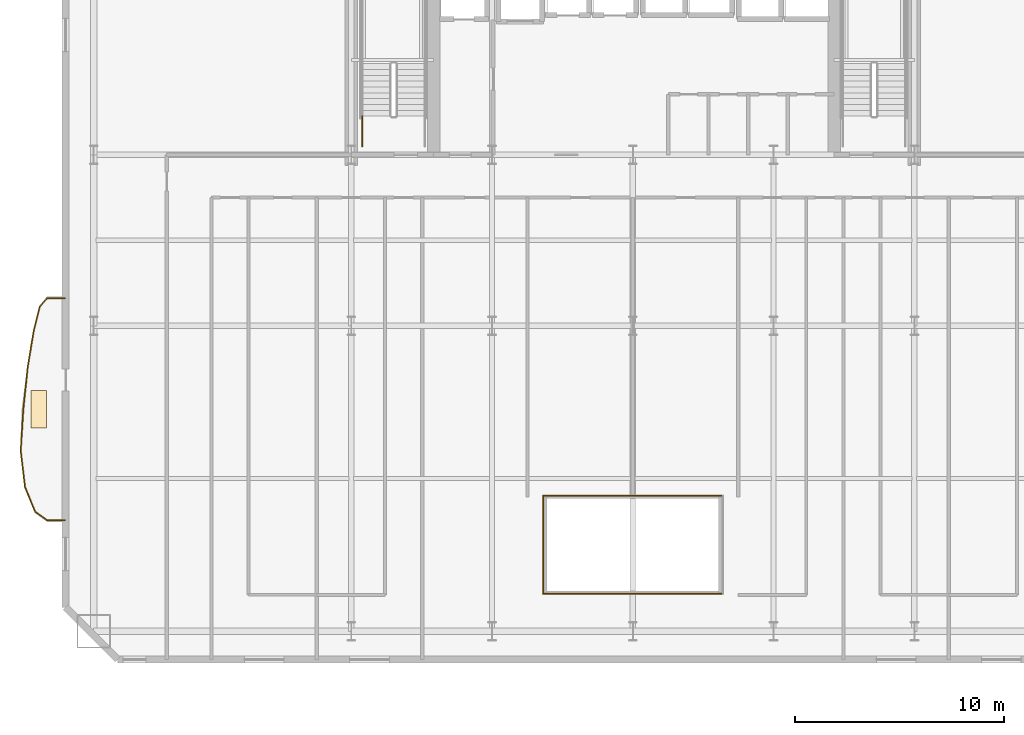
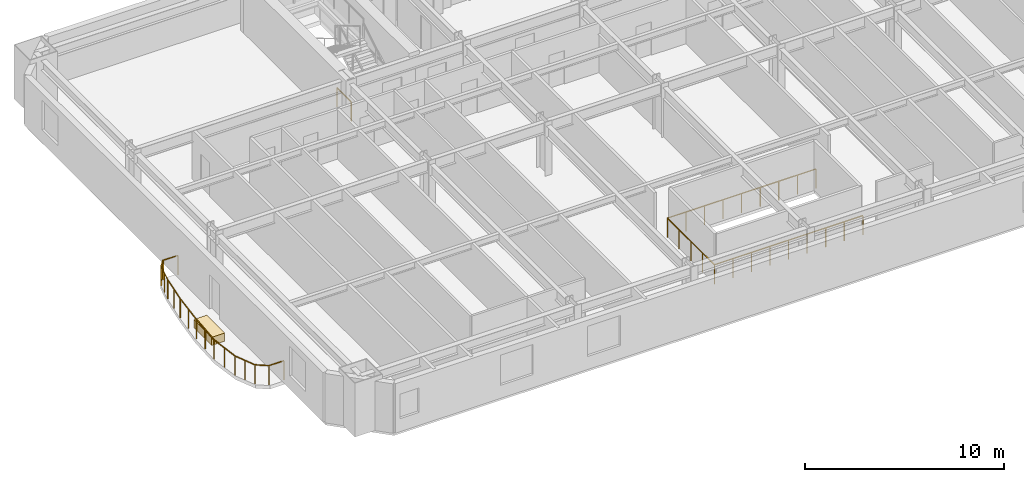
# One storey, part 11 of 17: 14 railings, 1 covering.
"""IFC4 building model written with IfcOpenShell, lengths in metres."""

from ifc_helpers import new_model, si_unit, direction, frame, origin, origin_2d, place, context, subcontext, project, spatial, rectangle, extrude, material, layer, layer_set, type_object, element, save


model = new_model("IFC4")

# Units and contexts
model_context = context("Model", 3, precision=1e-05, world=origin(), true_north=direction((0.0, 1.0)))
body_context = subcontext(model_context, "Body", "Model", "MODEL_VIEW")
ifc_project = project(units=[si_unit("LENGTHUNIT", "METRE"), si_unit("AREAUNIT", "SQUARE_METRE"), si_unit("VOLUMEUNIT", "CUBIC_METRE"), si_unit("PLANEANGLEUNIT", "RADIAN"), si_unit("MASSUNIT", "GRAM", prefix="KILO")], contexts=[model_context])

# Site, building, storey
site_placement = place(None, origin())
site = spatial("IfcSite", under=ifc_project, at=site_placement, CompositionType="ELEMENT")
building_placement = place(site_placement, origin())
building = spatial("IfcBuilding", under=site, at=building_placement, Name="Haevon Station Towers", CompositionType="ELEMENT")
storey_placement = place(building_placement, frame((0.0, 0.0, 37.199951171875)))
storey = spatial("IfcBuildingStorey", under=building, at=storey_placement, Name="L08", CompositionType="ELEMENT", Elevation=37.199951171875)

# Railings
ifc_material_1 = material(Name="Steel S355", Category="steel")
railing_type_1 = type_object("IfcRailingType", Name="BAL-ATR1200", PredefinedType="BALUSTRADE", material=ifc_material_1)
railing_1_placement = place(storey_placement, frame((33.19482421875, 17.142333984375, 0.0)))
element("IfcRailing", 1, at=railing_1_placement, inside=storey, type_object=railing_type_1, Name="L08 Atrium Void Balustrade 1", PredefinedType="BALUSTRADE", context=body_context, shape_type="SweptSolid", body=[
    extrude(rectangle(XDim=0.048095703125, YDim=0.048095703125, at=origin_2d()), frame((0.0, 0.0, 1.17578125), z_axis=(1.0, 0.0, 0.0), x_axis=(0.0, 1.0, 0.0)), (0.0, 0.0, 1.0), 8.6103515625),
    extrude(rectangle(XDim=0.0419921875, YDim=0.0419921875, at=origin_2d()), origin(), (0.0, 0.0, 1.0), 1.15185546875),
    extrude(rectangle(XDim=0.0419921875, YDim=0.0419921875, at=origin_2d()), frame((1.076171875, 0.0, 0.0)), (0.0, 0.0, 1.0), 1.15185546875),
    extrude(rectangle(XDim=0.0419921875, YDim=0.0419921875, at=origin_2d()), frame((2.152587890625, 0.0, 0.0)), (0.0, 0.0, 1.0), 1.15185546875),
    extrude(rectangle(XDim=0.0419921875, YDim=0.0419921875, at=origin_2d()), frame((3.22900390625, 0.0, 0.0)), (0.0, 0.0, 1.0), 1.15185546875),
    extrude(rectangle(XDim=0.0419921875, YDim=0.0419921875, at=origin_2d()), frame((4.30517578125, 0.0, 0.0)), (0.0, 0.0, 1.0), 1.15185546875),
    extrude(rectangle(XDim=0.0419921875, YDim=0.0419921875, at=origin_2d()), frame((5.38134765625, 0.0, 0.0)), (0.0, 0.0, 1.0), 1.15185546875),
    extrude(rectangle(XDim=0.0419921875, YDim=0.0419921875, at=origin_2d()), frame((6.457763671875, 0.0, 0.0)), (0.0, 0.0, 1.0), 1.15185546875),
    extrude(rectangle(XDim=0.0419921875, YDim=0.0419921875, at=origin_2d()), frame((7.5341796875, 0.0, 0.0)), (0.0, 0.0, 1.0), 1.15185546875),
    extrude(rectangle(XDim=0.0419921875, YDim=0.0419921875, at=origin_2d()), frame((8.6103515625, 0.0, 0.0)), (0.0, 0.0, 1.0), 1.15185546875),
])
railing_2_placement = place(storey_placement, frame((41.80517578125, 21.857666015625, 0.0)))
element("IfcRailing", 2, at=railing_2_placement, inside=storey, type_object=railing_type_1, Name="L08 Atrium Void Balustrade 3", PredefinedType="BALUSTRADE", context=body_context, shape_type="SweptSolid", body=[
    extrude(rectangle(XDim=0.048095703125, YDim=0.048095703125, at=origin_2d()), frame((0.0, 0.0, 1.17578125), z_axis=(-1.0, 0.0, 0.0), x_axis=(0.0, -1.0, 0.0)), (0.0, 0.0, 1.0), 8.6103515625),
    extrude(rectangle(XDim=0.0419921875, YDim=0.0419921875, at=origin_2d()), origin(), (0.0, 0.0, 1.0), 1.15185546875),
    extrude(rectangle(XDim=0.0419921875, YDim=0.0419921875, at=origin_2d()), frame((-1.076171875, 0.0, 0.0)), (0.0, 0.0, 1.0), 1.15185546875),
    extrude(rectangle(XDim=0.0419921875, YDim=0.0419921875, at=origin_2d()), frame((-2.152587890625, 0.0, 0.0)), (0.0, 0.0, 1.0), 1.15185546875),
    extrude(rectangle(XDim=0.0419921875, YDim=0.0419921875, at=origin_2d()), frame((-3.22900390625, 0.0, 0.0)), (0.0, 0.0, 1.0), 1.15185546875),
    extrude(rectangle(XDim=0.0419921875, YDim=0.0419921875, at=origin_2d()), frame((-4.30517578125, 0.0, 0.0)), (0.0, 0.0, 1.0), 1.15185546875),
    extrude(rectangle(XDim=0.0419921875, YDim=0.0419921875, at=origin_2d()), frame((-5.38134765625, 0.0, 0.0)), (0.0, 0.0, 1.0), 1.15185546875),
    extrude(rectangle(XDim=0.0419921875, YDim=0.0419921875, at=origin_2d()), frame((-6.457763671875, 0.0, 0.0)), (0.0, 0.0, 1.0), 1.15185546875),
    extrude(rectangle(XDim=0.0419921875, YDim=0.0419921875, at=origin_2d()), frame((-7.5341796875, 0.0, 0.0)), (0.0, 0.0, 1.0), 1.15185546875),
    extrude(rectangle(XDim=0.0419921875, YDim=0.0419921875, at=origin_2d()), frame((-8.6103515625, 0.0, 0.0)), (0.0, 0.0, 1.0), 1.15185546875),
])
railing_3_placement = place(storey_placement, frame((33.19482421875, 21.857666015625, 0.0)))
element("IfcRailing", 3, at=railing_3_placement, inside=storey, type_object=railing_type_1, Name="L08 Atrium Void Balustrade 4", PredefinedType="BALUSTRADE", context=body_context, shape_type="SweptSolid", body=[
    extrude(rectangle(XDim=0.048095703125, YDim=0.048095703125, at=origin_2d()), frame((0.0, 0.0, 1.17578125), z_axis=(0.0, -1.0, 0.0), x_axis=(1.0, 0.0, 0.0)), (0.0, 0.0, 1.0), 4.71533203125),
    extrude(rectangle(XDim=0.0419921875, YDim=0.0419921875, at=origin_2d()), origin(), (0.0, 0.0, 1.0), 1.15185546875),
    extrude(rectangle(XDim=0.0419921875, YDim=0.0419921875, at=origin_2d()), frame((0.0, -1.1787109375, 0.0)), (0.0, 0.0, 1.0), 1.15185546875),
    extrude(rectangle(XDim=0.0419921875, YDim=0.0419921875, at=origin_2d()), frame((0.0, -2.357666015625, 0.0)), (0.0, 0.0, 1.0), 1.15185546875),
    extrude(rectangle(XDim=0.0419921875, YDim=0.0419921875, at=origin_2d()), frame((0.0, -3.53662109375, 0.0)), (0.0, 0.0, 1.0), 1.15185546875),
    extrude(rectangle(XDim=0.0419921875, YDim=0.0419921875, at=origin_2d()), frame((0.0, -4.71533203125, 0.0)), (0.0, 0.0, 1.0), 1.15185546875),
])
railing_type_2 = type_object("IfcRailingType", Name="GRD-EXT1200", PredefinedType="GUARDRAIL", material=ifc_material_1)
railing_4_placement = place(storey_placement, frame((10.276611328125, 31.322265625, 0.0)))
element("IfcRailing", 4, at=railing_4_placement, inside=storey, type_object=railing_type_2, Name="L08 Perimeter Guardrail 1", PredefinedType="GUARDRAIL", context=body_context, shape_type="SweptSolid", body=[
    extrude(rectangle(XDim=0.048095703125, YDim=0.048095703125, at=origin_2d()), frame((0.0, 0.0, 1.17578125), z_axis=(-0.999997476494, -0.002246554286, 0.0), x_axis=(0.002246554286, -0.999997476494, 0.0)), (0.0, 0.0, 1.0), 0.869384765625),
    extrude(rectangle(XDim=0.0419921875, YDim=0.0419921875, at=origin_2d()), origin(), (0.0, 0.0, 1.0), 1.15185546875),
    extrude(rectangle(XDim=0.0419921875, YDim=0.0419921875, at=origin_2d()), frame((-0.869384765625, -0.001953125, 0.0)), (0.0, 0.0, 1.0), 1.15185546875),
])
railing_5_placement = place(storey_placement, frame((9.4072265625, 31.3203125, 0.0)))
element("IfcRailing", 5, at=railing_5_placement, inside=storey, type_object=railing_type_2, Name="L08 Perimeter Guardrail 2", PredefinedType="GUARDRAIL", context=body_context, shape_type="SweptSolid", body=[
    extrude(rectangle(XDim=0.048095703125, YDim=0.048095703125, at=origin_2d()), frame((0.0, 0.0, 1.17578125), z_axis=(-0.643618076679, -0.765346830772, 0.0), x_axis=(0.765346830772, -0.643618076679, 0.0)), (0.0, 0.0, 1.0), 0.53759765625),
    extrude(rectangle(XDim=0.0419921875, YDim=0.0419921875, at=origin_2d()), origin(), (0.0, 0.0, 1.0), 1.15185546875),
    extrude(rectangle(XDim=0.0419921875, YDim=0.0419921875, at=origin_2d()), frame((-0.345947265625, -0.411376953125, 0.0)), (0.0, 0.0, 1.0), 1.15185546875),
])
railing_6_placement = place(storey_placement, frame((9.061279296875, 30.908935546875, 0.0)))
element("IfcRailing", 6, at=railing_6_placement, inside=storey, type_object=railing_type_2, Name="L08 Perimeter Guardrail 3", PredefinedType="GUARDRAIL", context=body_context, shape_type="SweptSolid", body=[
    extrude(rectangle(XDim=0.048095703125, YDim=0.048095703125, at=origin_2d()), frame((0.0, 0.0, 1.17578125), z_axis=(-0.243202070488, -0.969975645524, 0.0), x_axis=(0.969975645524, -0.243202070488, 0.0)), (0.0, 0.0, 1.0), 1.20654296875),
    extrude(rectangle(XDim=0.0419921875, YDim=0.0419921875, at=origin_2d()), origin(), (0.0, 0.0, 1.0), 1.15185546875),
    extrude(rectangle(XDim=0.0419921875, YDim=0.0419921875, at=origin_2d()), frame((-0.146728515625, -0.585205078125, 0.0)), (0.0, 0.0, 1.0), 1.15185546875),
    extrude(rectangle(XDim=0.0419921875, YDim=0.0419921875, at=origin_2d()), frame((-0.29345703125, -1.17041015625, 0.0)), (0.0, 0.0, 1.0), 1.15185546875),
])
railing_7_placement = place(storey_placement, frame((8.767822265625, 29.738525390625, 0.0)))
element("IfcRailing", 7, at=railing_7_placement, inside=storey, type_object=railing_type_2, Name="L08 Perimeter Guardrail 4", PredefinedType="GUARDRAIL", context=body_context, shape_type="SweptSolid", body=[
    extrude(rectangle(XDim=0.048095703125, YDim=0.048095703125, at=origin_2d()), frame((0.0, 0.0, 1.17578125), z_axis=(-0.162366406363, -0.986730535701, 0.0), x_axis=(0.986730535701, -0.162366406363, 0.0)), (0.0, 0.0, 1.0), 1.772705078125),
    extrude(rectangle(XDim=0.0419921875, YDim=0.0419921875, at=origin_2d()), origin(), (0.0, 0.0, 1.0), 1.15185546875),
    extrude(rectangle(XDim=0.0419921875, YDim=0.0419921875, at=origin_2d()), frame((-0.14404296875, -0.87451171875, 0.0)), (0.0, 0.0, 1.0), 1.15185546875),
    extrude(rectangle(XDim=0.0419921875, YDim=0.0419921875, at=origin_2d()), frame((-0.287841796875, -1.749267578125, 0.0)), (0.0, 0.0, 1.0), 1.15185546875),
])
railing_8_placement = place(storey_placement, frame((8.47998046875, 27.9892578125, 0.0)))
element("IfcRailing", 8, at=railing_8_placement, inside=storey, type_object=railing_type_2, Name="L08 Perimeter Guardrail 5", PredefinedType="GUARDRAIL", context=body_context, shape_type="SweptSolid", body=[
    extrude(rectangle(XDim=0.048095703125, YDim=0.048095703125, at=origin_2d()), frame((0.0, 0.0, 1.17578125), z_axis=(-0.102549270738, -0.994727926154, 0.0), x_axis=(0.994727926154, -0.102549270738, 0.0)), (0.0, 0.0, 1.0), 1.999755859375),
    extrude(rectangle(XDim=0.0419921875, YDim=0.0419921875, at=origin_2d()), origin(), (0.0, 0.0, 1.0), 1.15185546875),
    extrude(rectangle(XDim=0.0419921875, YDim=0.0419921875, at=origin_2d()), frame((-0.1025390625, -0.99462890625, 0.0)), (0.0, 0.0, 1.0), 1.15185546875),
    extrude(rectangle(XDim=0.0419921875, YDim=0.0419921875, at=origin_2d()), frame((-0.205078125, -1.9892578125, 0.0)), (0.0, 0.0, 1.0), 1.15185546875),
])
railing_9_placement = place(storey_placement, frame((8.27490234375, 26.0, 0.0)))
element("IfcRailing", 9, at=railing_9_placement, inside=storey, type_object=railing_type_2, Name="L08 Perimeter Guardrail 6", PredefinedType="GUARDRAIL", context=body_context, shape_type="SweptSolid", body=[
    extrude(rectangle(XDim=0.048095703125, YDim=0.048095703125, at=origin_2d()), frame((0.0, 0.0, 1.17578125), z_axis=(-0.063443708023, -0.997985418687, 0.0), x_axis=(0.997985418687, -0.063443708023, 0.0)), (0.0, 0.0, 1.0), 1.9970703125),
    extrude(rectangle(XDim=0.0419921875, YDim=0.0419921875, at=origin_2d()), origin(), (0.0, 0.0, 1.0), 1.15185546875),
    extrude(rectangle(XDim=0.0419921875, YDim=0.0419921875, at=origin_2d()), frame((-0.0634765625, -0.99658203125, 0.0)), (0.0, 0.0, 1.0), 1.15185546875),
    extrude(rectangle(XDim=0.0419921875, YDim=0.0419921875, at=origin_2d()), frame((-0.126708984375, -1.9931640625, 0.0)), (0.0, 0.0, 1.0), 1.15185546875),
])
railing_10_placement = place(storey_placement, frame((8.148193359375, 24.0068359375, 0.0)))
element("IfcRailing", 10, at=railing_10_placement, inside=storey, type_object=railing_type_2, Name="L08 Perimeter Guardrail 7", PredefinedType="GUARDRAIL", context=body_context, shape_type="SweptSolid", body=[
    extrude(rectangle(XDim=0.048095703125, YDim=0.048095703125, at=origin_2d()), frame((0.0, 0.0, 1.17578125), z_axis=(0.117590336191, -0.993062189812, 0.0), x_axis=(0.993062189812, 0.117590336191, 0.0)), (0.0, 0.0, 1.0), 1.758544921875),
    extrude(rectangle(XDim=0.0419921875, YDim=0.0419921875, at=origin_2d()), origin(), (0.0, 0.0, 1.0), 1.15185546875),
    extrude(rectangle(XDim=0.0419921875, YDim=0.0419921875, at=origin_2d()), frame((0.103515625, -0.873046875, 0.0)), (0.0, 0.0, 1.0), 1.15185546875),
    extrude(rectangle(XDim=0.0419921875, YDim=0.0419921875, at=origin_2d()), frame((0.206787109375, -1.746337890625, 0.0)), (0.0, 0.0, 1.0), 1.15185546875),
])
railing_11_placement = place(storey_placement, frame((8.35498046875, 22.260498046875, 0.0)))
element("IfcRailing", 11, at=railing_11_placement, inside=storey, type_object=railing_type_2, Name="L08 Perimeter Guardrail 8", PredefinedType="GUARDRAIL", context=body_context, shape_type="SweptSolid", body=[
    extrude(rectangle(XDim=0.048095703125, YDim=0.048095703125, at=origin_2d()), frame((0.0, 0.0, 1.17578125), z_axis=(0.379535160999, -0.925177313581, 0.0), x_axis=(0.925177313581, 0.379535160999, 0.0)), (0.0, 0.0, 1.0), 1.263916015625),
    extrude(rectangle(XDim=0.0419921875, YDim=0.0419921875, at=origin_2d()), origin(), (0.0, 0.0, 1.0), 1.15185546875),
    extrude(rectangle(XDim=0.0419921875, YDim=0.0419921875, at=origin_2d()), frame((0.23974609375, -0.584716796875, 0.0)), (0.0, 0.0, 1.0), 1.15185546875),
    extrude(rectangle(XDim=0.0419921875, YDim=0.0419921875, at=origin_2d()), frame((0.479736328125, -1.16943359375, 0.0)), (0.0, 0.0, 1.0), 1.15185546875),
])
railing_12_placement = place(storey_placement, frame((8.834716796875, 21.091064453125, 0.0)))
element("IfcRailing", 12, at=railing_12_placement, inside=storey, type_object=railing_type_2, Name="L08 Perimeter Guardrail 9", PredefinedType="GUARDRAIL", context=body_context, shape_type="SweptSolid", body=[
    extrude(rectangle(XDim=0.048095703125, YDim=0.048095703125, at=origin_2d()), frame((0.0, 0.0, 1.17578125), z_axis=(0.812092296848, -0.583529006477, 0.0), x_axis=(0.583529006477, 0.812092296848, 0.0)), (0.0, 0.0, 1.0), 0.705078125),
    extrude(rectangle(XDim=0.0419921875, YDim=0.0419921875, at=origin_2d()), origin(), (0.0, 0.0, 1.0), 1.15185546875),
    extrude(rectangle(XDim=0.0419921875, YDim=0.0419921875, at=origin_2d()), frame((0.572509765625, -0.411376953125, 0.0)), (0.0, 0.0, 1.0), 1.15185546875),
])
railing_13_placement = place(storey_placement, frame((9.4072265625, 20.6796875, 0.0)))
element("IfcRailing", 13, at=railing_13_placement, inside=storey, type_object=railing_type_2, Name="L08 Perimeter Guardrail 10", PredefinedType="GUARDRAIL", context=body_context, shape_type="SweptSolid", body=[
    extrude(rectangle(XDim=0.048095703125, YDim=0.048095703125, at=origin_2d()), frame((0.0, 0.0, 1.17578125), z_axis=(0.999997476494, -0.002246554286, 0.0), x_axis=(0.002246554286, 0.999997476494, 0.0)), (0.0, 0.0, 1.0), 0.869384765625),
    extrude(rectangle(XDim=0.0419921875, YDim=0.0419921875, at=origin_2d()), origin(), (0.0, 0.0, 1.0), 1.15185546875),
    extrude(rectangle(XDim=0.0419921875, YDim=0.0419921875, at=origin_2d()), frame((0.869384765625, -0.001953125, 0.0)), (0.0, 0.0, 1.0), 1.15185546875),
])
railing_type_3 = type_object("IfcRailingType", Name="GRD-STR1200", PredefinedType="GUARDRAIL", material=ifc_material_1)
railing_14_placement = place(storey_placement, frame((24.530029296875, 38.60009765625, 0.0)))
element("IfcRailing", 14, at=railing_14_placement, inside=storey, type_object=railing_type_3, Name="L08 ST1 Stair Guard 9", PredefinedType="GUARDRAIL", context=body_context, shape_type="SweptSolid", body=[
    extrude(rectangle(XDim=0.048095703125, YDim=0.048095703125, at=origin_2d()), frame((0.0, 0.0, 1.17578125), z_axis=(0.0, 1.0, 0.0), x_axis=(-1.0, 0.0, 0.0)), (0.0, 0.0, 1.0), 1.449951171875),
    extrude(rectangle(XDim=0.0419921875, YDim=0.0419921875, at=origin_2d()), origin(), (0.0, 0.0, 1.0), 1.15185546875),
    extrude(rectangle(XDim=0.0419921875, YDim=0.0419921875, at=origin_2d()), frame((0.0, 1.449951171875, 0.0)), (0.0, 0.0, 1.0), 1.15185546875),
])

# Covering
ifc_material_2 = material(Name="Architectural planter GRC", Category="concrete")
ifc_layer = layer(ifc_material_2, 0.550048828125)
ifc_layer_set = layer_set([ifc_layer], Name="Architectural planter GRC")
covering_type = type_object("IfcCoveringType", Name="PLN-GRC550", PredefinedType="MOLDING", material=ifc_layer_set)
covering_placement = place(storey_placement, frame((9.0166015625, 26.0, 0.0), z_axis=(0.0, 0.0, 1.0), x_axis=(1.0, 0.0, 0.0)))
element("IfcCovering", 15, at=covering_placement, inside=storey, type_object=covering_type, Name="Tower 1 L08 Scalloped Balcony PLANTER", PredefinedType="MOLDING", context=body_context, shape_type="SweptSolid", body=[
    extrude(rectangle(XDim=0.75, YDim=1.800048828125, at=origin_2d()), origin(), (0.0, 0.0, 1.0), 0.5),
])

save(model, "model.ifc")
